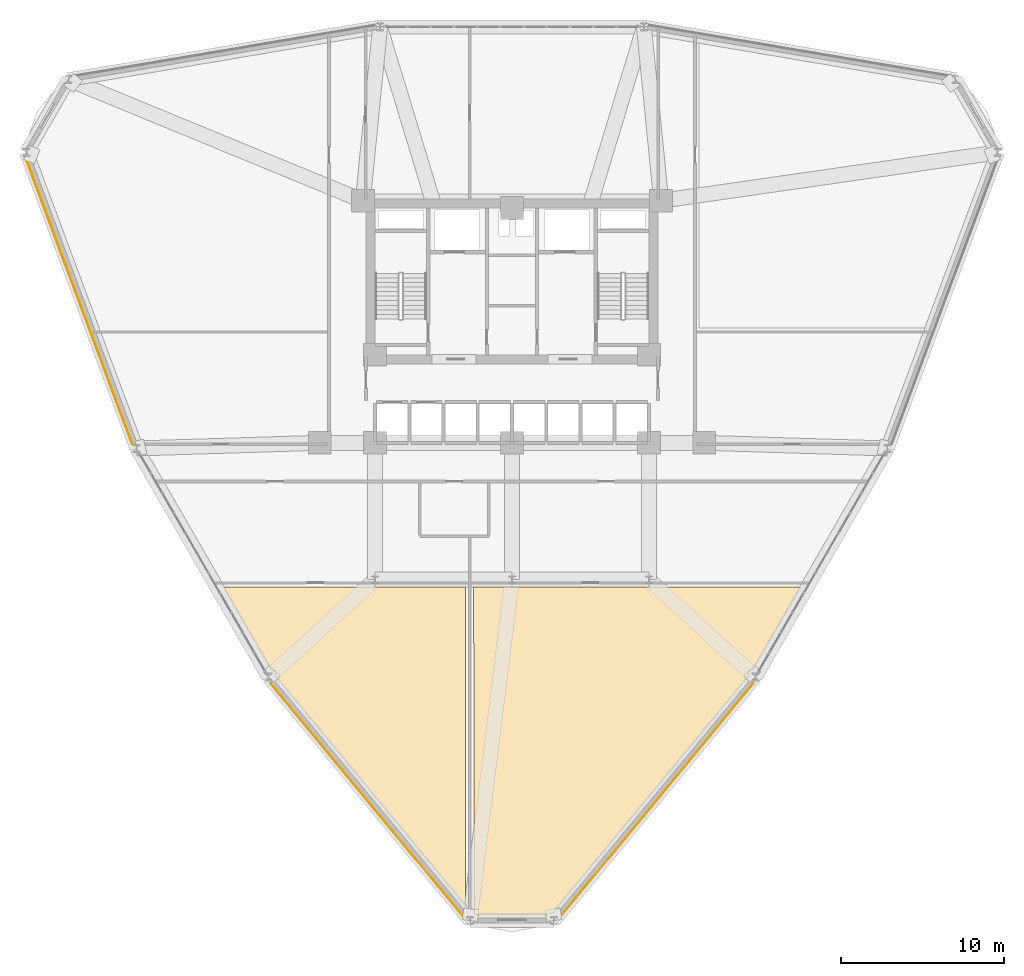
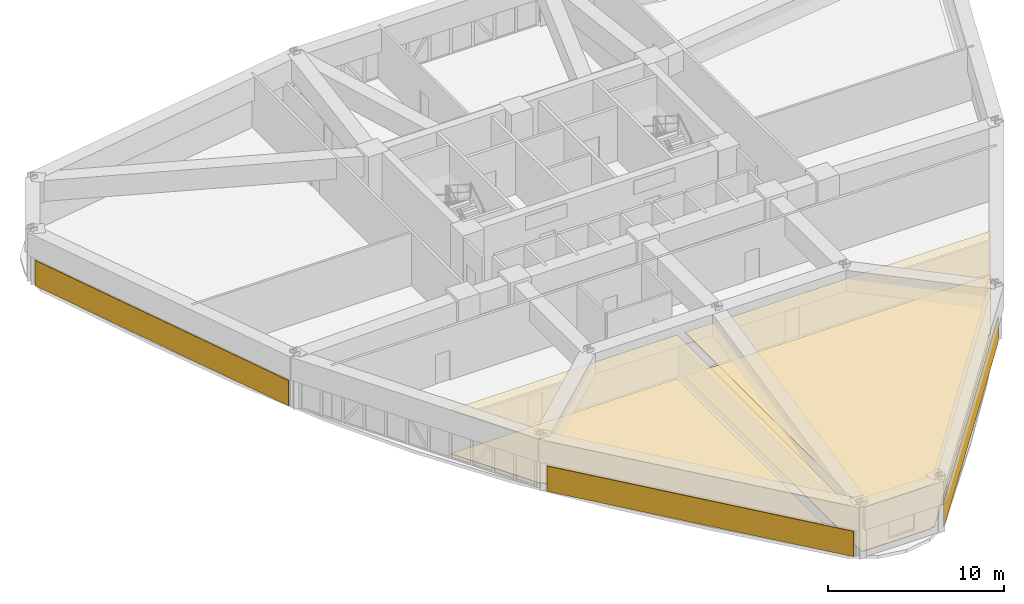
# One storey, part 18 of 20: 7 coverings.
"""IFC4 building model written with IfcOpenShell, lengths in metres."""

import ifcopenshell
import ifcopenshell.guid

model = None  # the IFC model being written
_history = None  # IfcOwnerHistory: only IFC2X3 demands one
_inside = {}  # id of a spatial element -> (the spatial element, [elements in it])
_under = {}  # id of a project, library or spatial element -> (it, [spatial elements below it])
_declared = {}  # id of a project -> (the project, [libraries it declares])
_typed = {}  # id of a type object -> (the type object, [elements of that type])
_made_of = {}  # id of a material, layer set ... -> (it, [elements and type objects made of it])


def new_model(schema):
    """Start an empty IFC model of exactly this schema.

    Asked for "IFC4X3", IfcOpenShell would pick the latest addendum, in which some entities
    have other attributes; the version numbers below select the first issue.
    IFC2X3 requires an IfcOwnerHistory on every rooted entity: one is made here for all.
    """
    global model, _history
    if schema == "IFC4X3":
        model = ifcopenshell.file(schema_version=(4, 3, 0, 0))
    else:
        model = ifcopenshell.file(schema=schema)
    _inside.clear()
    _under.clear()
    _declared.clear()
    _typed.clear()
    _made_of.clear()
    _history = None
    if model.schema == "IFC2X3":
        org = make("IfcOrganization", Name="unknown")
        user = make(
            "IfcPersonAndOrganization",
            ThePerson=make("IfcPerson", FamilyName="unknown"),
            TheOrganization=org,
        )
        app = make(
            "IfcApplication",
            ApplicationDeveloper=org,
            Version="unknown",
            ApplicationFullName="unknown",
            ApplicationIdentifier="unknown",
        )
        _history = make(
            "IfcOwnerHistory",
            OwningUser=user,
            OwningApplication=app,
            ChangeAction="ADDED",
            CreationDate=0,
        )
    return model


def make(cls, **values):
    """One entity of the class cls with the attributes given. An attribute that is None is left unset."""
    return model.create_entity(
        cls, **{name: value for name, value in values.items() if value is not None}
    )


def rooted(cls, **values):
    """An entity with a GlobalId (a new one), such as an element, a storey or a relation."""
    return make(cls, GlobalId=ifcopenshell.guid.new(), OwnerHistory=_history, **values)


def si_unit(unit_type, name, prefix=None):
    """IfcSIUnit, for example si_unit("LENGTHUNIT", "METRE", prefix="MILLI")."""
    return make("IfcSIUnit", UnitType=unit_type, Prefix=prefix, Name=name)


def derived_unit(unit_type, elements):
    """IfcDerivedUnit: a product of units, each with its exponent."""
    return make(
        "IfcDerivedUnit",
        Elements=[
            make("IfcDerivedUnitElement", Unit=unit, Exponent=power)
            for unit, power in elements
        ],
        UnitType=unit_type,
    )


def assignment(units):
    """IfcUnitAssignment: the units of a project."""
    return None if units is None else make("IfcUnitAssignment", Units=units)


def point(xyz):
    """IfcCartesianPoint."""
    return None if xyz is None else make("IfcCartesianPoint", Coordinates=xyz)


def direction(xyz):
    """IfcDirection."""
    return None if xyz is None else make("IfcDirection", DirectionRatios=xyz)


def frame(location, z_axis=None, x_axis=None):
    """IfcAxis2Placement3D, a coordinate frame: its origin and axes. An axis left out is left unset."""
    return make(
        "IfcAxis2Placement3D",
        Location=point(location),
        Axis=direction(z_axis),
        RefDirection=direction(x_axis),
    )


def origin():
    """The frame at (0, 0, 0) with its axes left unset."""
    return frame((0.0, 0.0, 0.0))


def place(relative_to, where):
    """IfcLocalPlacement: puts the frame where relative to a parent placement (None: the world)."""
    return make(
        "IfcLocalPlacement", PlacementRelTo=relative_to, RelativePlacement=where
    )


def context(
    kind, dimensions, precision=None, world=None, true_north=None, identifier=None
):
    """IfcGeometricRepresentationContext, for example the 3D "Model" context."""
    return make(
        "IfcGeometricRepresentationContext",
        ContextIdentifier=identifier,
        ContextType=kind,
        CoordinateSpaceDimension=dimensions,
        Precision=precision,
        WorldCoordinateSystem=world,
        TrueNorth=true_north,
    )


def subcontext(parent, identifier, kind, view, scale=None):
    """IfcGeometricRepresentationSubContext, for example "Body" below "Model"."""
    return make(
        "IfcGeometricRepresentationSubContext",
        ContextIdentifier=identifier,
        ContextType=kind,
        ParentContext=parent,
        TargetScale=scale,
        TargetView=view,
    )


def project(units=None, contexts=None):
    """IfcProject with its units and contexts."""
    return rooted(
        "IfcProject",
        Name="project",
        RepresentationContexts=contexts,
        UnitsInContext=assignment(units),
    )


def spatial(cls, under=None, at=None, **own):
    """A site, building, storey or space (cls), placed at a placement, below another one or the project."""
    s = rooted(cls, ObjectPlacement=at, **own)
    if under is not None:
        _under.setdefault(under.id(), (under, []))[1].append(s)
    return s


def polyline(points):
    """IfcPolyline through the points."""
    return make("IfcPolyline", Points=[point(p) for p in points])


def outline(outer, holes=None, kind="AREA"):
    """IfcArbitraryClosedProfileDef: a profile drawn as a closed curve; with holes, ...WithVoids."""
    if holes is None:
        return make("IfcArbitraryClosedProfileDef", ProfileType=kind, OuterCurve=outer)
    return make(
        "IfcArbitraryProfileDefWithVoids",
        ProfileType=kind,
        OuterCurve=outer,
        InnerCurves=holes,
    )


def extrude(swept, where, along, depth):
    """IfcExtrudedAreaSolid: the profile swept, set in the frame where, extruded along a direction by depth."""
    return make(
        "IfcExtrudedAreaSolid",
        SweptArea=swept,
        Position=where,
        ExtrudedDirection=direction(along),
        Depth=depth,
    )


def shape(context_of_items, identifier, shape_type, items):
    """IfcShapeRepresentation: the items that make up one representation, for example the "Body"."""
    return make(
        "IfcShapeRepresentation",
        ContextOfItems=context_of_items,
        RepresentationIdentifier=identifier,
        RepresentationType=shape_type,
        Items=items,
    )


def material(Name=None, Category=None):
    """IfcMaterial."""
    return make("IfcMaterial", Name=Name, Category=Category)


def layer(
    of_material, thickness, ventilated=None, Name=None, Category=None, Priority=None
):
    """IfcMaterialLayer: one layer of a wall or slab, of a material (None: an air gap)."""
    return make(
        "IfcMaterialLayer",
        Material=of_material,
        LayerThickness=thickness,
        IsVentilated=ventilated,
        Name=Name,
        Category=Category,
        Priority=Priority,
    )


def layer_set(layers, Name=None):
    """IfcMaterialLayerSet."""
    return make("IfcMaterialLayerSet", MaterialLayers=layers, LayerSetName=Name)


def made_of(thing, what):
    """Note that an element or type object is made of a material, layer set ...; save() writes the relation."""
    if what is not None:
        _made_of.setdefault(what.id(), (what, []))[1].append(thing)
    return thing


def type_object(cls, material=None, **own):
    """A type object (cls), such as IfcWallType, which elements share."""
    return made_of(rooted(cls, **own), material)


def element(
    cls,
    number,
    at=None,
    inside=None,
    cuts=None,
    type_object=None,
    material=None,
    context=None,
    identifier="Body",
    shape_type=None,
    held_by="IfcProductDefinitionShape",
    body=None,
    shapes=None,
    **own,
):
    """One element of the class cls, such as IfcWall. Its Tag is "e" and its number.

    at: its placement. inside: the storey or other place that contains it. cuts: it is an
    opening in that element (IfcRelVoidsElement). A single representation is given by context,
    identifier, shape_type and body (its items); several are given by shapes. held_by: the class
    of the entity that holds the representations. save() writes the other relations.
    """
    e = rooted(cls, Tag="e%d" % number, ObjectPlacement=at, **own)
    if body is not None:
        shapes = [shape(context, identifier, shape_type, body)]
    if shapes is not None:
        e.Representation = make(held_by, Representations=shapes)
    if inside is not None:
        _inside.setdefault(inside.id(), (inside, []))[1].append(e)
    if cuts is not None:
        rooted(
            "IfcRelVoidsElement", RelatingBuildingElement=cuts, RelatedOpeningElement=e
        )
    if type_object is not None:
        _typed.setdefault(type_object.id(), (type_object, []))[1].append(e)
    return made_of(e, material)


def aggregate(whole, parts):
    """IfcRelAggregates: a whole, such as a stair, and the parts it consists of."""
    return rooted("IfcRelAggregates", RelatingObject=whole, RelatedObjects=parts)


def save(model, path):
    """Write the relations noted so far, then the file.

    IfcRelAggregates (storeys below a building ...), IfcRelContainedInSpatialStructure (elements
    in a storey), IfcRelDefinesByType, IfcRelAssociatesMaterial and IfcRelDeclares: one each for
    every whole, place, type object, material and project.
    """
    for whole, parts in _under.values():
        aggregate(whole, parts)
    for where, things in _inside.values():
        rooted(
            "IfcRelContainedInSpatialStructure",
            RelatedElements=things,
            RelatingStructure=where,
        )
    for kind, things in _typed.values():
        rooted("IfcRelDefinesByType", RelatedObjects=things, RelatingType=kind)
    for what, things in _made_of.values():
        rooted("IfcRelAssociatesMaterial", RelatedObjects=things, RelatingMaterial=what)
    for by, libraries in _declared.values():
        rooted("IfcRelDeclares", RelatingContext=by, RelatedDefinitions=libraries)
    model.write(path)


model = new_model("IFC4")

# Units and contexts
model_context = context("Model", 3, precision=1e-05, world=origin(), true_north=direction((0.0, 1.0)))
body_context = subcontext(model_context, "Body", "Model", "MODEL_VIEW")
ifc_project = project(units=[si_unit("LENGTHUNIT", "METRE"), si_unit("AREAUNIT", "SQUARE_METRE"), si_unit("VOLUMEUNIT", "CUBIC_METRE"), si_unit("PLANEANGLEUNIT", "RADIAN"), si_unit("MASSUNIT", "GRAM", prefix="KILO"), derived_unit("THERMALTRANSMITTANCEUNIT", [(si_unit("POWERUNIT", "WATT"), 1), (si_unit("LENGTHUNIT", "METRE"), -2), (si_unit("THERMODYNAMICTEMPERATUREUNIT", "KELVIN"), -1)])], contexts=[model_context])

# Site, building, storey
site_placement = place(None, origin())
site = spatial("IfcSite", under=ifc_project, at=site_placement, CompositionType="ELEMENT")
building_placement = place(site_placement, origin())
building = spatial("IfcBuilding", under=site, at=building_placement, Name="Korsvarv Bourse and Concert Hall", CompositionType="ELEMENT")
storey_placement = place(building_placement, frame((0.0, 0.0, 31.800048828125)))
storey = spatial("IfcBuildingStorey", under=building, at=storey_placement, Name="L07", CompositionType="ELEMENT", Elevation=31.800048828125)

# Coverings
ifc_material_1 = material(Name="Perforated mineral-wool and birch acoustic baffle ceiling", Category="wood")
ifc_layer_1 = layer(ifc_material_1, 0.02490234375)
ifc_layer_set_1 = layer_set([ifc_layer_1], Name="Perforated mineral-wool and birch acoustic baffle ceiling")
covering_type_1 = type_object("IfcCoveringType", Name="COV-CEIL-1", PredefinedType="CEILING", material=ifc_layer_set_1)
covering_1_placement = place(storey_placement, frame((0.0, 0.0, 3.06005859375)))
element("IfcCovering", 1, at=covering_1_placement, inside=storey, type_object=covering_type_1, Name="L07 acoustic baffle ceiling 2", PredefinedType="CEILING", context=body_context, shape_type="SweptSolid", body=[
    extrude(outline(polyline([(53.72705078125, 23.550048828125), (50.7861328125, 18.455810546875), (50.72021484375, 18.455810546875), (50.685791015625, 18.452392578125), (50.65283203125, 18.442626953125), (50.622314453125, 18.427001953125), (50.59521484375, 18.405517578125), (50.57275390625, 18.37939453125), (50.555908203125, 18.349365234375), (50.544921875, 18.316650390625), (50.540283203125, 18.28271484375), (50.532470703125, 18.0791015625), (38.493896484375, 3.520751953125), (38.369873046875, 3.520751953125), (38.335205078125, 3.517333984375), (38.3017578125, 3.50732421875), (38.27099609375, 3.490966796875), (38.24365234375, 3.468994140625), (38.22119140625, 3.4423828125), (33.78759765625, 3.43359375), (33.7646484375, 3.460693359375), (33.736083984375, 3.48291015625), (33.70361328125, 3.4990234375), (33.668701171875, 3.50830078125), (33.64990234375, 23.550048828125), (53.72705078125, 23.550048828125)])), origin(), (0.0, 0.0, 1.0), 0.02490234375),
])
covering_2_placement = place(storey_placement, frame((0.0, 0.0, 3.06005859375)))
element("IfcCovering", 2, at=covering_2_placement, inside=storey, type_object=covering_type_1, Name="L07 acoustic baffle ceiling 3", PredefinedType="CEILING", context=body_context, shape_type="SweptSolid", body=[
    extrude(outline(polyline([(33.14990234375, 23.550048828125), (33.14990234375, 3.951416015625), (21.469970703125, 18.076171875), (21.469970703125, 18.265869140625), (21.46630859375, 18.302001953125), (21.455322265625, 18.336669921875), (21.437744140625, 18.368408203125), (21.414306640625, 18.39599609375), (21.385498046875, 18.418212890625), (21.35302734375, 18.434326171875), (21.318115234375, 18.443603515625), (21.21728515625, 18.4501953125), (18.27294921875, 23.550048828125), (33.14990234375, 23.550048828125)])), origin(), (0.0, 0.0, 1.0), 0.02490234375),
])
ifc_material_2 = material(Name="Warm iron-oxide extruded terracotta rainscreen tile", Category="ceramic")
ifc_layer_2 = layer(ifc_material_2, 0.044921875)
ifc_layer_set_2 = layer_set([ifc_layer_2], Name="Warm iron-oxide extruded terracotta rainscreen tile")
covering_type_2 = type_object("IfcCoveringType", Name="COV-CLD-TC", PredefinedType="CLADDING", material=ifc_layer_set_2)
covering_3_placement = place(storey_placement, origin())
element("IfcCovering", 3, at=covering_3_placement, inside=storey, type_object=covering_type_2, Name="L07 fluted terracotta cladding panel EW-L07-B06", PredefinedType="CLADDING", context=body_context, shape_type="SweptSolid", body=[
    extrude(outline(polyline([(6.202880859375, 49.85302734375), (12.72607421875, 32.323974609375), (12.683837890625, 32.308349609375), (6.16064453125, 49.83740234375), (6.202880859375, 49.85302734375)])), origin(), (0.0, 0.0, 1.0), 1.760009765625),
])
covering_4_placement = place(storey_placement, origin())
element("IfcCovering", 4, at=covering_4_placement, inside=storey, type_object=covering_type_2, Name="L07 fluted terracotta cladding panel EW-L07-B08", PredefinedType="CLADDING", context=body_context, shape_type="SweptSolid", body=[
    extrude(outline(polyline([(21.21484375, 17.63916015625), (33.06298828125, 3.311279296875), (33.0283203125, 3.28271484375), (21.180419921875, 17.6103515625), (21.21484375, 17.63916015625)])), origin(), (0.0, 0.0, 1.0), 1.760009765625),
])
covering_5_placement = place(storey_placement, origin())
element("IfcCovering", 5, at=covering_5_placement, inside=storey, type_object=covering_type_2, Name="L07 fluted terracotta cladding panel EW-L07-B10", PredefinedType="CLADDING", context=body_context, shape_type="SweptSolid", body=[
    extrude(outline(polyline([(38.93701171875, 3.311279296875), (50.78515625, 17.63916015625), (50.819580078125, 17.6103515625), (38.9716796875, 3.28271484375), (38.93701171875, 3.311279296875)])), origin(), (0.0, 0.0, 1.0), 1.760009765625),
])
ifc_material_3 = material(Name="Calcium-sulphate raised access trading floor with Nordic oak top", Category="wood")
ifc_layer_3 = layer(ifc_material_3, 0.0400390625)
ifc_layer_set_3 = layer_set([ifc_layer_3], Name="Calcium-sulphate raised access trading floor with Nordic oak top")
covering_type_3 = type_object("IfcCoveringType", Name="COV-FLOR-1", PredefinedType="FLOORING", material=ifc_layer_set_3)
covering_6_placement = place(storey_placement, origin())
element("IfcCovering", 6, at=covering_6_placement, inside=storey, type_object=covering_type_3, Name="L07 raised access oak floor finish 2", PredefinedType="FLOORING", context=body_context, shape_type="SweptSolid", body=[
    extrude(outline(polyline([(53.72705078125, 23.550048828125), (50.7861328125, 18.455810546875), (50.72021484375, 18.455810546875), (50.685791015625, 18.452392578125), (50.65283203125, 18.442626953125), (50.622314453125, 18.427001953125), (50.59521484375, 18.405517578125), (50.57275390625, 18.37939453125), (50.555908203125, 18.349365234375), (50.544921875, 18.316650390625), (50.540283203125, 18.28271484375), (50.532470703125, 18.0791015625), (38.493896484375, 3.520751953125), (38.369873046875, 3.520751953125), (38.335205078125, 3.517333984375), (38.3017578125, 3.50732421875), (38.27099609375, 3.490966796875), (38.24365234375, 3.468994140625), (38.22119140625, 3.4423828125), (33.78759765625, 3.43359375), (33.7646484375, 3.460693359375), (33.736083984375, 3.48291015625), (33.70361328125, 3.4990234375), (33.668701171875, 3.50830078125), (33.64990234375, 23.550048828125), (53.72705078125, 23.550048828125)])), origin(), (0.0, 0.0, 1.0), 0.0400390625),
])
covering_7_placement = place(storey_placement, origin())
element("IfcCovering", 7, at=covering_7_placement, inside=storey, type_object=covering_type_3, Name="L07 raised access oak floor finish 3", PredefinedType="FLOORING", context=body_context, shape_type="SweptSolid", body=[
    extrude(outline(polyline([(33.14990234375, 23.550048828125), (33.14990234375, 3.951416015625), (21.469970703125, 18.076171875), (21.469970703125, 18.265869140625), (21.46630859375, 18.302001953125), (21.455322265625, 18.336669921875), (21.437744140625, 18.368408203125), (21.414306640625, 18.39599609375), (21.385498046875, 18.418212890625), (21.35302734375, 18.434326171875), (21.318115234375, 18.443603515625), (21.21728515625, 18.4501953125), (18.27294921875, 23.550048828125), (33.14990234375, 23.550048828125)])), origin(), (0.0, 0.0, 1.0), 0.0400390625),
])

save(model, "model.ifc")
